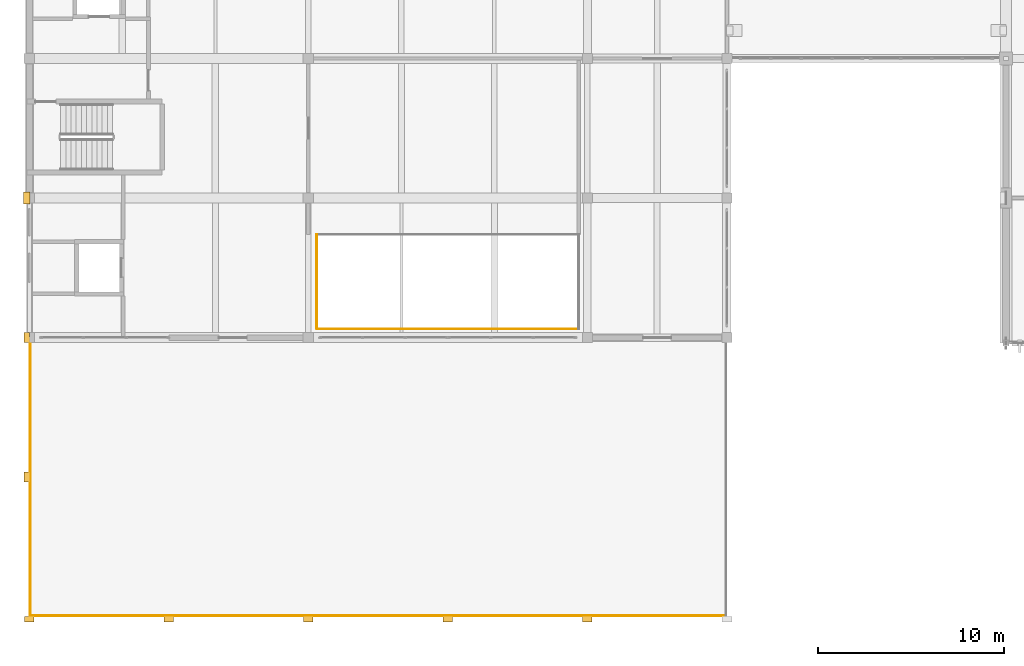
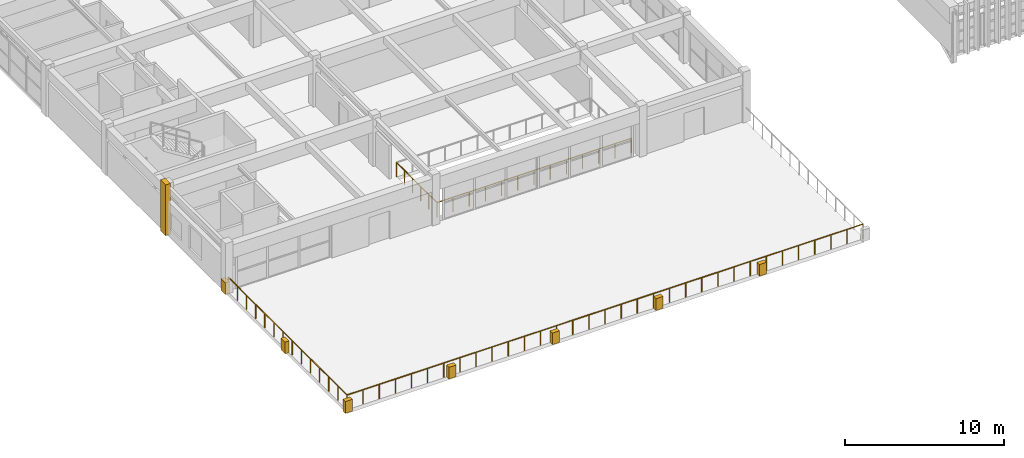
# One storey, part 89 of 101: 8 coverings, 4 railings.
"""IFC4 building model written with IfcOpenShell, lengths in metres."""

from ifc_helpers import new_model, si_unit, direction, frame, origin, origin_2d, place, context, subcontext, project, spatial, rectangle, circle, extrude, material, layer, layer_set, type_object, element, save


model = new_model("IFC4")

# Units and contexts
model_context = context("Model", 3, precision=1e-05, world=origin(), true_north=direction((0.0, 1.0)))
body_context = subcontext(model_context, "Body", "Model", "MODEL_VIEW")
ifc_project = project(units=[si_unit("LENGTHUNIT", "METRE"), si_unit("AREAUNIT", "SQUARE_METRE"), si_unit("VOLUMEUNIT", "CUBIC_METRE"), si_unit("PLANEANGLEUNIT", "RADIAN"), si_unit("MASSUNIT", "GRAM", prefix="KILO")], contexts=[model_context])

# Site, building, storey
site_placement = place(None, origin())
site = spatial("IfcSite", under=ifc_project, at=site_placement, CompositionType="ELEMENT")
building_placement = place(site_placement, origin())
building = spatial("IfcBuilding", under=site, at=building_placement, Name="Qasida Concert Hall", CompositionType="ELEMENT")
storey_placement = place(building_placement, frame((0.0, 0.0, 13.199951171875)))
storey = spatial("IfcBuildingStorey", under=building, at=storey_placement, Name="L03", CompositionType="ELEMENT", Elevation=13.199951171875)

# Coverings
ifc_material_1 = material(Name="Projecting fluted Lebanese limestone Art Deco pilaster", Category="masonry")
ifc_layer_1 = layer(ifc_material_1, 0.35009765625, Name="Projecting fluted Lebanese limestone Art Deco pilaster")
ifc_layer_set_1 = layer_set([ifc_layer_1], Name="Projecting fluted Lebanese limestone Art Deco pilaster")
covering_type = type_object("IfcCoveringType", Name="CV-PIL-650", PredefinedType="CLADDING", material=ifc_layer_set_1)
for number, where, z_axis, x_axis, name in (
    (1, (0.0, -0.135009765625, 0.0), (0.0, 0.0, 1.0), (1.0, 0.0, 0.0), "Stepped Art Deco pier finial 0144"),
    (2, (7.5, -0.135009765625, 0.0), (0.0, 0.0, 1.0), (1.0, 0.0, 0.0), "Stepped Art Deco pier finial 0148"),
    (3, (15.0, -0.135009765625, 0.0), (0.0, 0.0, 1.0), (1.0, 0.0, 0.0), "Stepped Art Deco pier finial 0152"),
    (4, (22.5, -0.135009765625, 0.0), (0.0, 0.0, 1.0), (1.0, 0.0, 0.0), "Stepped Art Deco pier finial 0156"),
    (5, (30.0, -0.135009765625, 0.0), (0.0, 0.0, 1.0), (1.0, 0.0, 0.0), "Stepped Art Deco pier finial 0160"),
):
    element("IfcCovering", number, at=place(storey_placement, frame(where, z_axis=z_axis, x_axis=x_axis)), inside=storey, type_object=covering_type, Name=name, PredefinedType="CLADDING", context=body_context, shape_type="SweptSolid", body=[
        extrude(rectangle(XDim=0.52001953125, YDim=0.300048828125, at=origin_2d()), origin(), (0.0, 0.0, 1.0), 0.89990234375),
    ])
for number, where, z_axis, x_axis, name in (
    (6, (-0.135009765625, 7.5, 0.0), (0.0, 0.0, 1.0), (1.0, 0.0, 0.0), "Stepped Art Deco pier finial 0168"),
    (7, (-0.135009765625, 15.0, 0.0), (0.0, 0.0, 1.0), (1.0, 0.0, 0.0), "Stepped Art Deco pier finial 0172"),
):
    element("IfcCovering", number, at=place(storey_placement, frame(where, z_axis=z_axis, x_axis=x_axis)), inside=storey, type_object=covering_type, Name=name, PredefinedType="CLADDING", context=body_context, shape_type="SweptSolid", body=[
        extrude(rectangle(XDim=0.300048828125, YDim=0.52001953125, at=origin_2d()), origin(), (0.0, 0.0, 1.0), 0.89990234375),
    ])
covering_placement = place(storey_placement, frame((-0.135009765625, 22.5, 0.0), z_axis=(0.0, 0.0, 1.0), x_axis=(1.0, 0.0, 0.0)))
element("IfcCovering", 8, at=covering_placement, inside=storey, type_object=covering_type, Name="L03 fluted limestone pilaster 0176", PredefinedType="CLADDING", context=body_context, shape_type="SweptSolid", body=[
    extrude(rectangle(XDim=0.35009765625, YDim=0.64990234375, at=origin_2d()), origin(), (0.0, 0.0, 1.0), 3.89990234375),
])

# Railings
ifc_material_2 = material(Name="Carved Lebanese limestone and bronze top rail", Category="masonry")
ifc_layer_2 = layer(ifc_material_2, 0.10009765625, Name="Carved Lebanese limestone and bronze top rail")
ifc_layer_set_2 = layer_set([ifc_layer_2], Name="Carved Lebanese limestone and bronze top rail")
railing_type = type_object("IfcRailingType", Name="RL-BAL-1100", PredefinedType="BALUSTRADE", material=ifc_layer_set_2)
railing_1_placement = place(storey_placement, frame((0.050048828125, 14.949951171875, 0.0)))
element("IfcRailing", 9, at=railing_1_placement, inside=storey, type_object=railing_type, Name="L03 South terrace balustrade 0001", PredefinedType="BALUSTRADE", context=body_context, shape_type="SweptSolid", body=[
    extrude(circle(Radius=0.02392578125, at=origin_2d()), frame((0.0, 0.0, 1.09619140625), z_axis=(0.0, -1.0, 0.0), x_axis=(1.0, 0.0, 0.0)), (0.0, 0.0, 1.0), 14.89990234375),
    extrude(circle(Radius=0.02099609375, at=origin_2d()), origin(), (0.0, 0.0, 1.0), 1.072021484375),
    extrude(circle(Radius=0.02099609375, at=origin_2d()), frame((0.0, -1.146240234375, 0.0)), (0.0, 0.0, 1.0), 1.072021484375),
    extrude(circle(Radius=0.02099609375, at=origin_2d()), frame((0.0, -2.292236328125, 0.0)), (0.0, 0.0, 1.0), 1.072021484375),
    extrude(circle(Radius=0.02099609375, at=origin_2d()), frame((0.0, -3.4384765625, 0.0)), (0.0, 0.0, 1.0), 1.072021484375),
    extrude(circle(Radius=0.02099609375, at=origin_2d()), frame((0.0, -4.58447265625, 0.0)), (0.0, 0.0, 1.0), 1.072021484375),
    extrude(circle(Radius=0.02099609375, at=origin_2d()), frame((0.0, -5.730712890625, 0.0)), (0.0, 0.0, 1.0), 1.072021484375),
    extrude(circle(Radius=0.02099609375, at=origin_2d()), frame((0.0, -6.876953125, 0.0)), (0.0, 0.0, 1.0), 1.072021484375),
    extrude(circle(Radius=0.02099609375, at=origin_2d()), frame((0.0, -8.02294921875, 0.0)), (0.0, 0.0, 1.0), 1.072021484375),
    extrude(circle(Radius=0.02099609375, at=origin_2d()), frame((0.0, -9.169189453125, 0.0)), (0.0, 0.0, 1.0), 1.072021484375),
    extrude(circle(Radius=0.02099609375, at=origin_2d()), frame((0.0, -10.3154296875, 0.0)), (0.0, 0.0, 1.0), 1.072021484375),
    extrude(circle(Radius=0.02099609375, at=origin_2d()), frame((0.0, -11.46142578125, 0.0)), (0.0, 0.0, 1.0), 1.072021484375),
    extrude(circle(Radius=0.02099609375, at=origin_2d()), frame((0.0, -12.607666015625, 0.0)), (0.0, 0.0, 1.0), 1.072021484375),
    extrude(circle(Radius=0.02099609375, at=origin_2d()), frame((0.0, -13.753662109375, 0.0)), (0.0, 0.0, 1.0), 1.072021484375),
    extrude(circle(Radius=0.02099609375, at=origin_2d()), frame((0.0, -14.89990234375, 0.0)), (0.0, 0.0, 1.0), 1.072021484375),
])
railing_2_placement = place(storey_placement, frame((0.050048828125, 0.050048828125, 0.0)))
element("IfcRailing", 10, at=railing_2_placement, inside=storey, type_object=railing_type, Name="L03 South terrace balustrade 0002", PredefinedType="BALUSTRADE", context=body_context, shape_type="SweptSolid", body=[
    extrude(circle(Radius=0.02392578125, at=origin_2d()), frame((0.0, 0.0, 1.09619140625), z_axis=(1.0, 0.0, 0.0), x_axis=(0.0, 1.0, 0.0)), (0.0, 0.0, 1.0), 37.39990234375),
    extrude(circle(Radius=0.02099609375, at=origin_2d()), origin(), (0.0, 0.0, 1.0), 1.072021484375),
    extrude(circle(Radius=0.02099609375, at=origin_2d()), frame((1.168701171875, 0.0, 0.0)), (0.0, 0.0, 1.0), 1.072021484375),
    extrude(circle(Radius=0.02099609375, at=origin_2d()), frame((2.33740234375, 0.0, 0.0)), (0.0, 0.0, 1.0), 1.072021484375),
    extrude(circle(Radius=0.02099609375, at=origin_2d()), frame((3.50634765625, 0.0, 0.0)), (0.0, 0.0, 1.0), 1.072021484375),
    extrude(circle(Radius=0.02099609375, at=origin_2d()), frame((4.675048828125, 0.0, 0.0)), (0.0, 0.0, 1.0), 1.072021484375),
    extrude(circle(Radius=0.02099609375, at=origin_2d()), frame((5.84375, 0.0, 0.0)), (0.0, 0.0, 1.0), 1.072021484375),
    extrude(circle(Radius=0.02099609375, at=origin_2d()), frame((7.012451171875, 0.0, 0.0)), (0.0, 0.0, 1.0), 1.072021484375),
    extrude(circle(Radius=0.02099609375, at=origin_2d()), frame((8.18115234375, 0.0, 0.0)), (0.0, 0.0, 1.0), 1.072021484375),
    extrude(circle(Radius=0.02099609375, at=origin_2d()), frame((9.35009765625, 0.0, 0.0)), (0.0, 0.0, 1.0), 1.072021484375),
    extrude(circle(Radius=0.02099609375, at=origin_2d()), frame((10.518798828125, 0.0, 0.0)), (0.0, 0.0, 1.0), 1.072021484375),
    extrude(circle(Radius=0.02099609375, at=origin_2d()), frame((11.6875, 0.0, 0.0)), (0.0, 0.0, 1.0), 1.072021484375),
    extrude(circle(Radius=0.02099609375, at=origin_2d()), frame((12.856201171875, 0.0, 0.0)), (0.0, 0.0, 1.0), 1.072021484375),
    extrude(circle(Radius=0.02099609375, at=origin_2d()), frame((14.02490234375, 0.0, 0.0)), (0.0, 0.0, 1.0), 1.072021484375),
    extrude(circle(Radius=0.02099609375, at=origin_2d()), frame((15.193603515625, 0.0, 0.0)), (0.0, 0.0, 1.0), 1.072021484375),
    extrude(circle(Radius=0.02099609375, at=origin_2d()), frame((16.362548828125, 0.0, 0.0)), (0.0, 0.0, 1.0), 1.072021484375),
    extrude(circle(Radius=0.02099609375, at=origin_2d()), frame((17.53125, 0.0, 0.0)), (0.0, 0.0, 1.0), 1.072021484375),
    extrude(circle(Radius=0.02099609375, at=origin_2d()), frame((18.699951171875, 0.0, 0.0)), (0.0, 0.0, 1.0), 1.072021484375),
    extrude(circle(Radius=0.02099609375, at=origin_2d()), frame((19.86865234375, 0.0, 0.0)), (0.0, 0.0, 1.0), 1.072021484375),
    extrude(circle(Radius=0.02099609375, at=origin_2d()), frame((21.037353515625, 0.0, 0.0)), (0.0, 0.0, 1.0), 1.072021484375),
    extrude(circle(Radius=0.02099609375, at=origin_2d()), frame((22.206298828125, 0.0, 0.0)), (0.0, 0.0, 1.0), 1.072021484375),
    extrude(circle(Radius=0.02099609375, at=origin_2d()), frame((23.375, 0.0, 0.0)), (0.0, 0.0, 1.0), 1.072021484375),
    extrude(circle(Radius=0.02099609375, at=origin_2d()), frame((24.543701171875, 0.0, 0.0)), (0.0, 0.0, 1.0), 1.072021484375),
    extrude(circle(Radius=0.02099609375, at=origin_2d()), frame((25.71240234375, 0.0, 0.0)), (0.0, 0.0, 1.0), 1.072021484375),
    extrude(circle(Radius=0.02099609375, at=origin_2d()), frame((26.881103515625, 0.0, 0.0)), (0.0, 0.0, 1.0), 1.072021484375),
    extrude(circle(Radius=0.02099609375, at=origin_2d()), frame((28.0498046875, 0.0, 0.0)), (0.0, 0.0, 1.0), 1.072021484375),
    extrude(circle(Radius=0.02099609375, at=origin_2d()), frame((29.21875, 0.0, 0.0)), (0.0, 0.0, 1.0), 1.072021484375),
    extrude(circle(Radius=0.02099609375, at=origin_2d()), frame((30.387451171875, 0.0, 0.0)), (0.0, 0.0, 1.0), 1.072021484375),
    extrude(circle(Radius=0.02099609375, at=origin_2d()), frame((31.55615234375, 0.0, 0.0)), (0.0, 0.0, 1.0), 1.072021484375),
    extrude(circle(Radius=0.02099609375, at=origin_2d()), frame((32.724853515625, 0.0, 0.0)), (0.0, 0.0, 1.0), 1.072021484375),
    extrude(circle(Radius=0.02099609375, at=origin_2d()), frame((33.8935546875, 0.0, 0.0)), (0.0, 0.0, 1.0), 1.072021484375),
    extrude(circle(Radius=0.02099609375, at=origin_2d()), frame((35.0625, 0.0, 0.0)), (0.0, 0.0, 1.0), 1.072021484375),
    extrude(circle(Radius=0.02099609375, at=origin_2d()), frame((36.231201171875, 0.0, 0.0)), (0.0, 0.0, 1.0), 1.072021484375),
    extrude(circle(Radius=0.02099609375, at=origin_2d()), frame((37.39990234375, 0.0, 0.0)), (0.0, 0.0, 1.0), 1.072021484375),
])
railing_3_placement = place(storey_placement, frame((15.4599609375, 15.4599609375, 0.0)))
element("IfcRailing", 11, at=railing_3_placement, inside=storey, type_object=railing_type, Name="L03 L03 atrium balustrade 0054", PredefinedType="BALUSTRADE", context=body_context, shape_type="SweptSolid", body=[
    extrude(circle(Radius=0.02392578125, at=origin_2d()), frame((0.0, 0.0, 1.09619140625), z_axis=(1.0, 0.0, 0.0), x_axis=(0.0, 1.0, 0.0)), (0.0, 0.0, 1.0), 14.080078125),
    extrude(circle(Radius=0.02099609375, at=origin_2d()), origin(), (0.0, 0.0, 1.0), 1.072021484375),
    extrude(circle(Radius=0.02099609375, at=origin_2d()), frame((1.17333984375, 0.0, 0.0)), (0.0, 0.0, 1.0), 1.072021484375),
    extrude(circle(Radius=0.02099609375, at=origin_2d()), frame((2.3466796875, 0.0, 0.0)), (0.0, 0.0, 1.0), 1.072021484375),
    extrude(circle(Radius=0.02099609375, at=origin_2d()), frame((3.52001953125, 0.0, 0.0)), (0.0, 0.0, 1.0), 1.072021484375),
    extrude(circle(Radius=0.02099609375, at=origin_2d()), frame((4.693359375, 0.0, 0.0)), (0.0, 0.0, 1.0), 1.072021484375),
    extrude(circle(Radius=0.02099609375, at=origin_2d()), frame((5.86669921875, 0.0, 0.0)), (0.0, 0.0, 1.0), 1.072021484375),
    extrude(circle(Radius=0.02099609375, at=origin_2d()), frame((7.0400390625, 0.0, 0.0)), (0.0, 0.0, 1.0), 1.072021484375),
    extrude(circle(Radius=0.02099609375, at=origin_2d()), frame((8.21337890625, 0.0, 0.0)), (0.0, 0.0, 1.0), 1.072021484375),
    extrude(circle(Radius=0.02099609375, at=origin_2d()), frame((9.38671875, 0.0, 0.0)), (0.0, 0.0, 1.0), 1.072021484375),
    extrude(circle(Radius=0.02099609375, at=origin_2d()), frame((10.56005859375, 0.0, 0.0)), (0.0, 0.0, 1.0), 1.072021484375),
    extrude(circle(Radius=0.02099609375, at=origin_2d()), frame((11.7333984375, 0.0, 0.0)), (0.0, 0.0, 1.0), 1.072021484375),
    extrude(circle(Radius=0.02099609375, at=origin_2d()), frame((12.90673828125, 0.0, 0.0)), (0.0, 0.0, 1.0), 1.072021484375),
    extrude(circle(Radius=0.02099609375, at=origin_2d()), frame((14.080078125, 0.0, 0.0)), (0.0, 0.0, 1.0), 1.072021484375),
])
railing_4_placement = place(storey_placement, frame((15.4599609375, 20.5400390625, 0.0)))
element("IfcRailing", 12, at=railing_4_placement, inside=storey, type_object=railing_type, Name="L03 L03 atrium balustrade 0057", PredefinedType="BALUSTRADE", context=body_context, shape_type="SweptSolid", body=[
    extrude(circle(Radius=0.02392578125, at=origin_2d()), frame((0.0, 0.0, 1.09619140625), z_axis=(0.0, -1.0, 0.0), x_axis=(1.0, 0.0, 0.0)), (0.0, 0.0, 1.0), 5.080078125),
    extrude(circle(Radius=0.02099609375, at=origin_2d()), origin(), (0.0, 0.0, 1.0), 1.072021484375),
    extrude(circle(Radius=0.02099609375, at=origin_2d()), frame((0.0, -1.01611328125, 0.0)), (0.0, 0.0, 1.0), 1.072021484375),
    extrude(circle(Radius=0.02099609375, at=origin_2d()), frame((0.0, -2.031982421875, 0.0)), (0.0, 0.0, 1.0), 1.072021484375),
    extrude(circle(Radius=0.02099609375, at=origin_2d()), frame((0.0, -3.048095703125, 0.0)), (0.0, 0.0, 1.0), 1.072021484375),
    extrude(circle(Radius=0.02099609375, at=origin_2d()), frame((0.0, -4.06396484375, 0.0)), (0.0, 0.0, 1.0), 1.072021484375),
    extrude(circle(Radius=0.02099609375, at=origin_2d()), frame((0.0, -5.080078125, 0.0)), (0.0, 0.0, 1.0), 1.072021484375),
])

save(model, "model.ifc")
